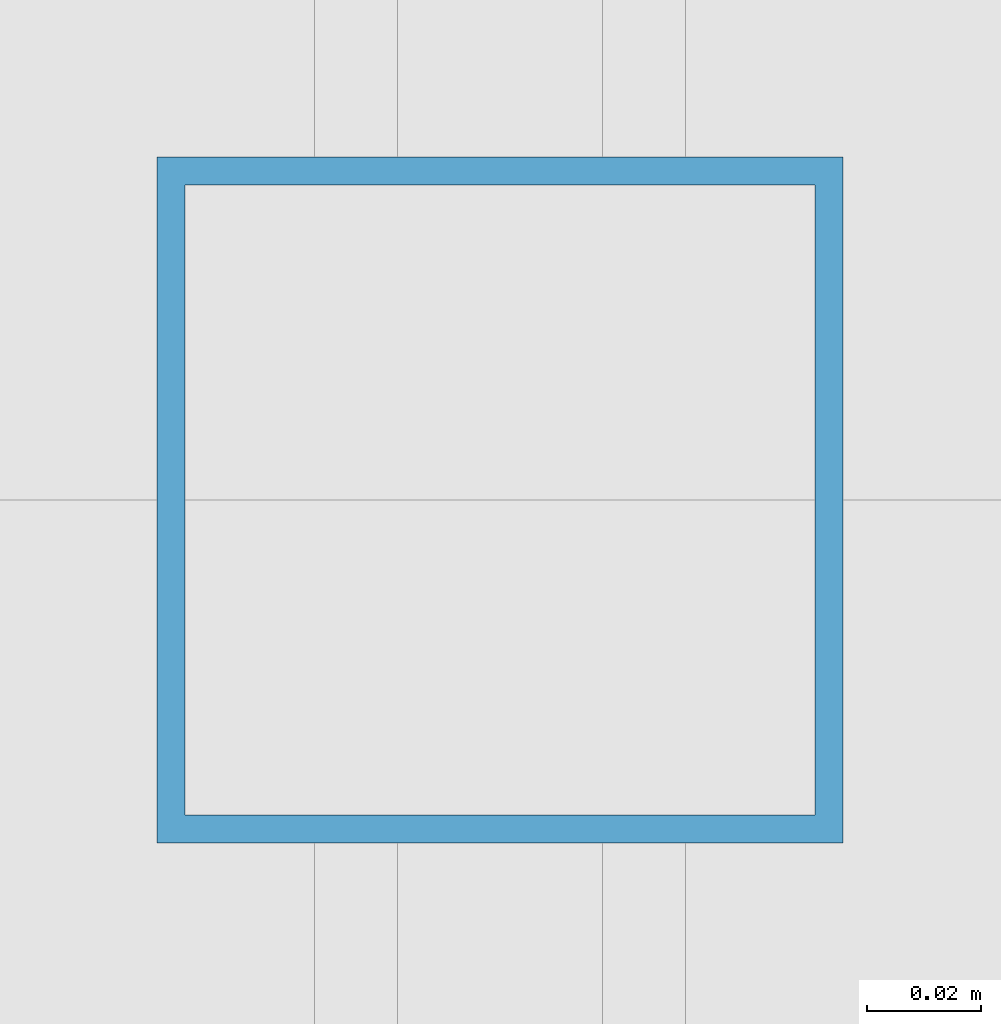
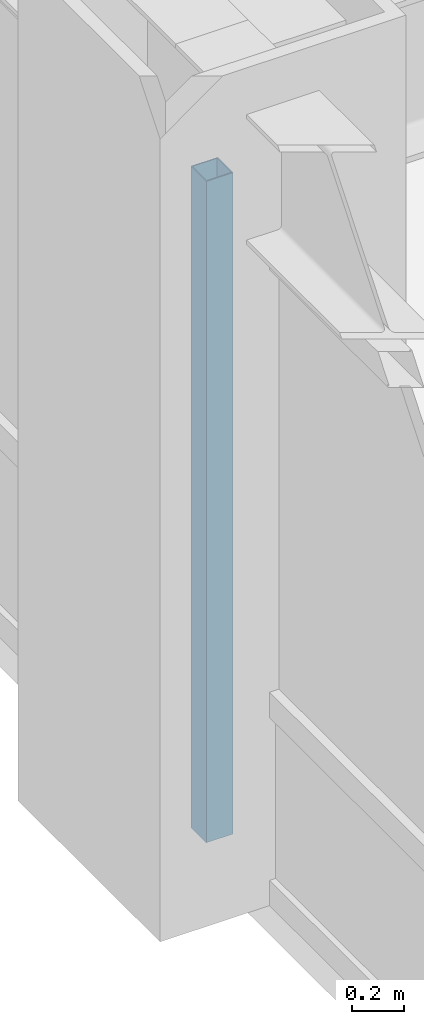
# One storey, part 6 of 24: 1 member, 1 element without a shape of its own.
"""IFC4 building model written with IfcOpenShell, lengths in metres."""

from ifc_helpers import new_model, si_unit, direction, frame, origin, origin_2d, place, context, subcontext, project, spatial, hollow_rectangle, extrude, source, transform, mapped, material, material_profile, profile_set, type_object, element, aggregate, save


model = new_model("IFC4")

# Units and contexts
model_context = context("Model", 3, precision=1e-05, world=origin(), true_north=direction((0.0, 1.0)))
body_context = subcontext(model_context, "Body", "Model", "MODEL_VIEW")
ifc_project = project(units=[si_unit("LENGTHUNIT", "METRE"), si_unit("AREAUNIT", "SQUARE_METRE"), si_unit("VOLUMEUNIT", "CUBIC_METRE"), si_unit("PLANEANGLEUNIT", "RADIAN"), si_unit("MASSUNIT", "GRAM", prefix="KILO")], contexts=[model_context])

# Site, building, storey
site_placement = place(None, origin())
site = spatial("IfcSite", under=ifc_project, at=site_placement, CompositionType="ELEMENT")
building_placement = place(site_placement, origin())
building = spatial("IfcBuilding", under=site, at=building_placement, Name="Khorayat Bourse Tower", CompositionType="ELEMENT")
storey_placement = place(building_placement, frame((0.0, 0.0, 175.10009765625)))
storey = spatial("IfcBuildingStorey", under=building, at=storey_placement, Name="L40", CompositionType="ELEMENT", Elevation=175.10009765625)

# Curtain wall, member
ifc_material = material(Name="Aluminium EN AW-6063 T6", Category="aluminium")
curtain_wall_type = type_object("IfcCurtainWallType", Name="CW-SYS-03", PredefinedType="NOTDEFINED", material=ifc_material)
curtain_wall_placement = place(storey_placement, origin())
curtain_wall = element("IfcCurtainWall", 1, at=curtain_wall_placement, inside=storey, type_object=curtain_wall_type, Name="L40 Curtain Wall CW-L40-W1", PredefinedType="NOTDEFINED")
ifc_material_profile = material_profile(ifc_material, hollow_rectangle(XDim=0.1201171875, YDim=0.1201171875, WallThickness=0.0048828125, at=origin_2d()), Name="ALU 120x120x5")
ifc_profile_set = profile_set([ifc_material_profile], Name="Aluminium EN AW-6063 T6")
member_type = type_object("IfcMemberType", Name="CWM-VERT-120", PredefinedType="MULLION", material=ifc_profile_set)
shared_shape = source(origin(), body_context, "Body", "SweptSolid", [
    extrude(hollow_rectangle(XDim=0.1201171875, YDim=0.1201171875, WallThickness=0.0048828125, at=origin_2d()), origin(), (0.0, 0.0, 1.0), 3.1298828125),
])
member_placement = place(storey_placement, frame((-30.0, 0.0, 0.0), z_axis=(0.0, 0.0, 1.0), x_axis=(-1.0, 0.0, 0.0)))
member = element("IfcMember", 2, at=member_placement, type_object=member_type, Name="CW-L40-W1 Vertical Mullion 2", PredefinedType="MULLION", context=body_context, shape_type="MappedRepresentation", body=[
    mapped(shared_shape, transform((0.0, 0.0, 0.0), scale=1.0)),
])
aggregate(curtain_wall, [member])

save(model, "model.ifc")
